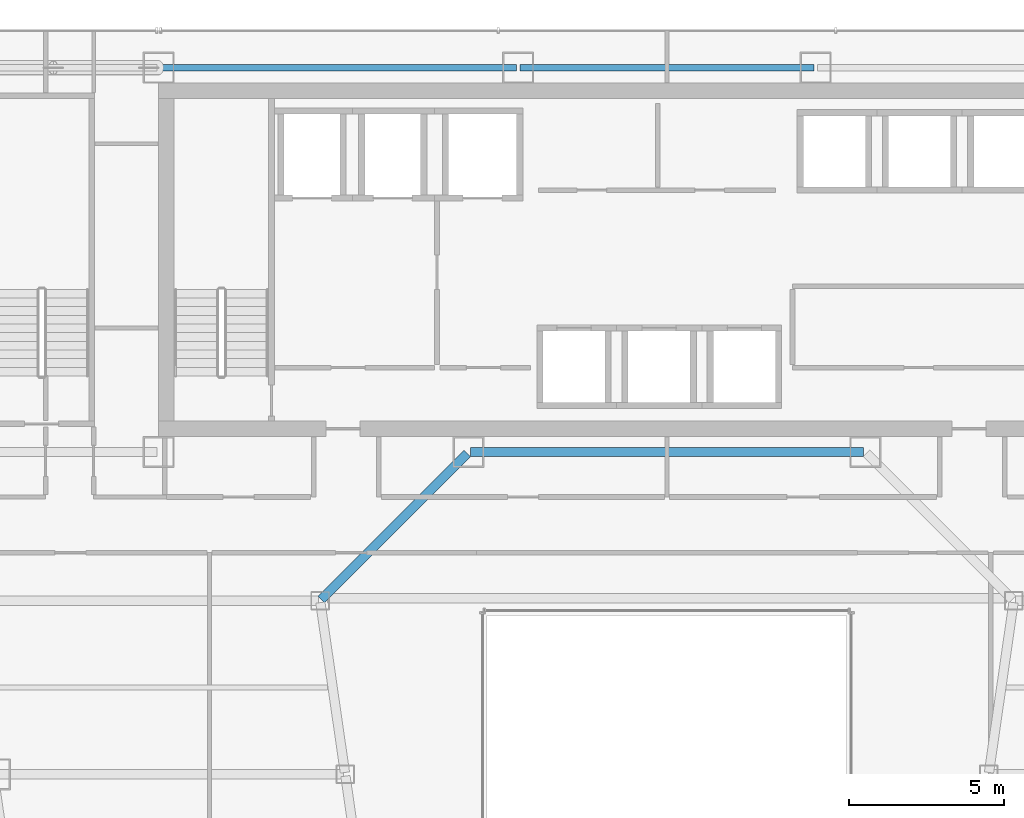
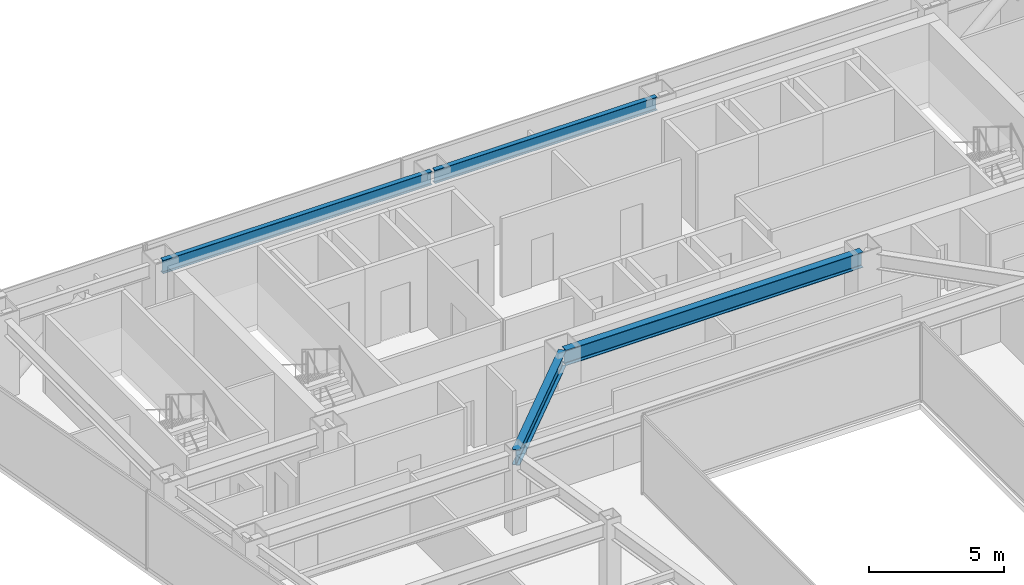
# One storey, part 21 of 36: 4 beams.
"""IFC4 building model written with IfcOpenShell, lengths in metres."""

from ifc_helpers import new_model, si_unit, direction, frame, origin, origin_2d, place, context, subcontext, project, spatial, i_section, extrude, material, material_profile, profile_set, type_object, element, save


model = new_model("IFC4")

# Units and contexts
model_context = context("Model", 3, precision=1e-05, world=origin(), true_north=direction((0.0, 1.0)))
body_context = subcontext(model_context, "Body", "Model", "MODEL_VIEW")
ifc_project = project(units=[si_unit("LENGTHUNIT", "METRE"), si_unit("AREAUNIT", "SQUARE_METRE"), si_unit("VOLUMEUNIT", "CUBIC_METRE"), si_unit("PLANEANGLEUNIT", "RADIAN"), si_unit("MASSUNIT", "GRAM", prefix="KILO")], contexts=[model_context])

# Site, building, storey
site_placement = place(None, origin())
site = spatial("IfcSite", under=ifc_project, at=site_placement, CompositionType="ELEMENT")
building_placement = place(site_placement, origin())
building = spatial("IfcBuilding", under=site, at=building_placement, Name="Saevonmaru Cultural Tower", CompositionType="ELEMENT")
storey_placement = place(building_placement, frame((0.0, 0.0, 148.60009765625)))
storey = spatial("IfcBuildingStorey", under=building, at=storey_placement, Name="L32", CompositionType="ELEMENT", Elevation=148.60009765625)

# Beams
ifc_material = material(Name="Steel SM355", Category="steel")
ifc_material_profile_1 = material_profile(ifc_material, i_section(OverallWidth=0.300048828125, OverallDepth=0.699951171875, WebThickness=0.012939453125, FlangeThickness=0.02392578125, FilletRadius=0.02587890625, at=origin_2d()), Name="H-700x300x13x24")
ifc_profile_set_1 = profile_set([ifc_material_profile_1], Name="Steel SM355")
beam_type_1 = type_object("IfcBeamType", Name="BM-G-H700", PredefinedType="BEAM", material=ifc_profile_set_1)
beam_1_placement = place(storey_placement, frame((23.659912109375, 42.39990234375, 3.199951171875), z_axis=(1.0, 0.0, 0.0), x_axis=(0.0, 1.0, 0.0)))
element("IfcBeam", 1, at=beam_1_placement, inside=storey, type_object=beam_type_1, Name="L32 Core South Girder 3", PredefinedType="BEAM", context=body_context, shape_type="SweptSolid", body=[
    extrude(i_section(OverallWidth=0.300048828125, OverallDepth=0.699951171875, WebThickness=0.012939453125, FlangeThickness=0.02392578125, FilletRadius=0.02587890625, at=origin_2d()), origin(), (0.0, 0.0, 1.0), 12.68017578125),
])
beam_2_placement = place(storey_placement, frame((18.850341796875, 37.642578125, 3.199951171875), z_axis=(0.706538566564, 0.707674539572, 0.0), x_axis=(-0.707674539572, 0.706538566564, 0.0)))
element("IfcBeam", 2, at=beam_2_placement, inside=storey, type_object=beam_type_1, Name="L32 West Atrium Girder 5", PredefinedType="BEAM", context=body_context, shape_type="SweptSolid", body=[
    extrude(i_section(OverallWidth=0.300048828125, OverallDepth=0.699951171875, WebThickness=0.012939453125, FlangeThickness=0.02392578125, FilletRadius=0.02587890625, at=origin_2d()), origin(), (0.0, 0.0, 1.0), 6.662353515625),
])
ifc_material_profile_2 = material_profile(ifc_material, i_section(OverallWidth=0.199951171875, OverallDepth=0.60009765625, WebThickness=0.010986328125, FlangeThickness=0.01708984375, FilletRadius=0.02197265625, at=origin_2d()), Name="H-600x200x11x17")
ifc_profile_set_2 = profile_set([ifc_material_profile_2], Name="Steel SM355")
beam_type_2 = type_object("IfcBeamType", Name="BM-SP-H600", PredefinedType="SPANDREL", material=ifc_profile_set_2)
beam_3_placement = place(storey_placement, frame((13.659912109375, 54.800048828125, 3.25), z_axis=(1.0, 0.0, 0.0), x_axis=(0.0, 1.0, 0.0)))
element("IfcBeam", 3, at=beam_3_placement, inside=storey, type_object=beam_type_2, Name="L32 North Spine Girder 2", PredefinedType="SPANDREL", context=body_context, shape_type="SweptSolid", body=[
    extrude(i_section(OverallWidth=0.199951171875, OverallDepth=0.60009765625, WebThickness=0.010986328125, FlangeThickness=0.01708984375, FilletRadius=0.02197265625, at=origin_2d()), origin(), (0.0, 0.0, 1.0), 11.47998046875),
])
beam_4_placement = place(storey_placement, frame((25.260009765625, 54.800048828125, 3.25), z_axis=(1.0, 0.0, 0.0), x_axis=(0.0, 1.0, 0.0)))
element("IfcBeam", 4, at=beam_4_placement, inside=storey, type_object=beam_type_2, Name="L32 North Spine Girder 3", PredefinedType="SPANDREL", context=body_context, shape_type="SweptSolid", body=[
    extrude(i_section(OverallWidth=0.199951171875, OverallDepth=0.60009765625, WebThickness=0.010986328125, FlangeThickness=0.01708984375, FilletRadius=0.02197265625, at=origin_2d()), origin(), (0.0, 0.0, 1.0), 9.47998046875),
])

save(model, "model.ifc")
